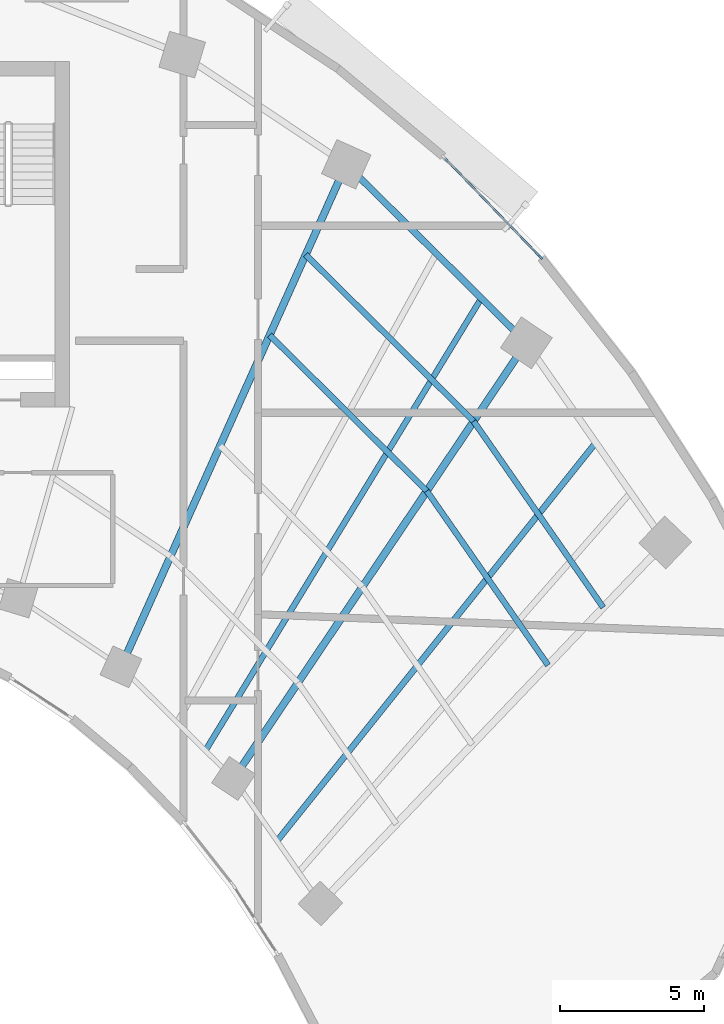
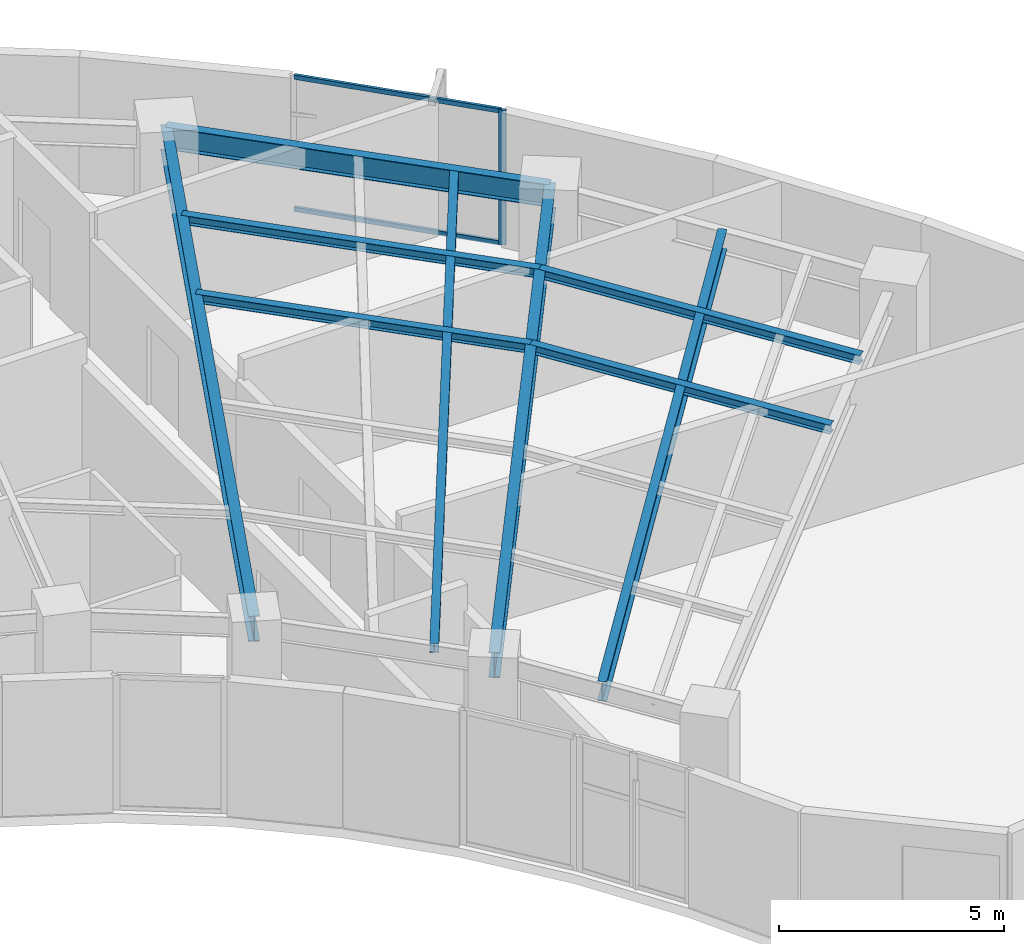
# One storey, part 4 of 14: 9 beams, 3 members, 1 element without a shape of its own.
"""IFC4 building model written with IfcOpenShell, lengths in metres."""

from ifc_helpers import new_model, si_unit, direction, frame, origin, origin_2d, place, context, subcontext, project, spatial, rectangle, i_section, extrude, source, transform, mapped, material, layer, layer_set, material_profile, profile_set, type_object, element, aggregate, save


model = new_model("IFC4")

# Units and contexts
model_context = context("Model", 3, precision=1e-05, world=origin(), true_north=direction((0.0, 1.0)))
body_context = subcontext(model_context, "Body", "Model", "MODEL_VIEW")
ifc_project = project(units=[si_unit("LENGTHUNIT", "METRE"), si_unit("AREAUNIT", "SQUARE_METRE"), si_unit("VOLUMEUNIT", "CUBIC_METRE"), si_unit("PLANEANGLEUNIT", "RADIAN"), si_unit("MASSUNIT", "GRAM", prefix="KILO")], contexts=[model_context])

# Site, building, storey
site_placement = place(None, origin())
site = spatial("IfcSite", under=ifc_project, at=site_placement, CompositionType="ELEMENT")
building_placement = place(site_placement, origin())
building = spatial("IfcBuilding", under=site, at=building_placement, Name="Breltana Convention Tower", CompositionType="ELEMENT")
storey_placement = place(building_placement, frame((0.0, 0.0, 123.300048828125)))
storey = spatial("IfcBuildingStorey", under=building, at=storey_placement, Name="L29", CompositionType="ELEMENT", Elevation=123.300048828125)

# Beams
ifc_material_1 = material(Name="Steel ASTM A992 Grade 50", Category="steel")
ifc_material_profile_1 = material_profile(ifc_material_1, i_section(OverallWidth=0.25390625, OverallDepth=0.68798828125, WebThickness=0.01318359375, FlangeThickness=0.02099609375, at=origin_2d()), Name="W27X102")
ifc_profile_set_1 = profile_set([ifc_material_profile_1], Name="Steel ASTM A992 Grade 50")
beam_type_1 = type_object("IfcBeamType", Name="BM-RG-W27X102", PredefinedType="USERDEFINED", material=ifc_profile_set_1)
shared_shape_1 = source(origin(), body_context, "Body", "SweptSolid", [
    extrude(i_section(OverallWidth=0.25390625, OverallDepth=0.68798828125, WebThickness=0.01318359375, FlangeThickness=0.02099609375, at=origin_2d()), origin(), (0.0, 0.0, 1.0), 19.133544921875),
])
beam_1_placement = place(storey_placement, frame((61.08203125, 51.174560546875, 3.305908203125), z_axis=(0.409144564164, 0.912469575172, 0.0), x_axis=(-0.912469575172, 0.409144564164, 0.0)))
element("IfcBeam", 1, at=beam_1_placement, inside=storey, type_object=beam_type_1, Name="L29 Radial Floor Girder R09", ObjectType="GIRDER", PredefinedType="USERDEFINED", context=body_context, shape_type="MappedRepresentation", body=[
    mapped(shared_shape_1, transform((0.0, 0.0, 0.0), scale=1.0)),
])
shared_shape_2 = source(origin(), body_context, "Body", "SweptSolid", [
    extrude(i_section(OverallWidth=0.25390625, OverallDepth=0.68798828125, WebThickness=0.01318359375, FlangeThickness=0.02099609375, at=origin_2d()), origin(), (0.0, 0.0, 1.0), 18.236328125),
])
beam_2_placement = place(storey_placement, frame((64.995849609375, 47.293701171875, 3.305908203125), z_axis=(0.557730360975, 0.830022195153, 0.0), x_axis=(-0.830022195153, 0.557730360975, 0.0)))
element("IfcBeam", 2, at=beam_2_placement, inside=storey, type_object=beam_type_1, Name="L29 Radial Floor Girder R10", ObjectType="GIRDER", PredefinedType="USERDEFINED", context=body_context, shape_type="MappedRepresentation", body=[
    mapped(shared_shape_2, transform((0.0, 0.0, 0.0), scale=1.0)),
])
ifc_material_profile_2 = material_profile(ifc_material_1, i_section(OverallWidth=0.22802734375, OverallDepth=0.60791015625, WebThickness=0.01123046875, FlangeThickness=0.017333984375, at=origin_2d()), Name="W24X76")
ifc_profile_set_2 = profile_set([ifc_material_profile_2], Name="Steel ASTM A992 Grade 50")
beam_type_2 = type_object("IfcBeamType", Name="BM-SP-W24X76", PredefinedType="SPANDREL", material=ifc_profile_set_2)
shared_shape_3 = source(origin(), body_context, "Body", "SweptSolid", [
    extrude(i_section(OverallWidth=0.22802734375, OverallDepth=0.60791015625, WebThickness=0.01123046875, FlangeThickness=0.017333984375, at=origin_2d()), origin(), (0.0, 0.0, 1.0), 8.810302734375),
])
beam_3_placement = place(storey_placement, frame((68.910400390625, 68.63330078125, 3.345947265625), z_axis=(0.710120823582, -0.704079836322, 0.0), x_axis=(0.704079836322, 0.710120823582, 0.0)))
element("IfcBeam", 3, at=beam_3_placement, inside=storey, type_object=beam_type_2, Name="L29 Outer Spandrel Beam 09", PredefinedType="SPANDREL", context=body_context, shape_type="MappedRepresentation", body=[
    mapped(shared_shape_3, transform((0.0, 0.0, 0.0), scale=1.0)),
])
ifc_material_profile_3 = material_profile(ifc_material_1, i_section(OverallWidth=0.201904296875, OverallDepth=0.2470703125, WebThickness=0.00732421875, FlangeThickness=0.010986328125, at=origin_2d()), Name="W10X33")
ifc_profile_set_3 = profile_set([ifc_material_profile_3], Name="Steel ASTM A992 Grade 50")
beam_type_3 = type_object("IfcBeamType", Name="BM-JSG-11", PredefinedType="JOIST", material=ifc_profile_set_3)
shared_shape_4 = source(origin(), body_context, "Body", "SweptSolid", [
    extrude(i_section(OverallWidth=0.201904296875, OverallDepth=0.2470703125, WebThickness=0.00732421875, FlangeThickness=0.010986328125, at=origin_2d()), origin(), (0.0, 0.0, 1.0), 7.688720703125),
])
beam_4_placement = place(storey_placement, frame((66.248779296875, 62.697265625, 3.5263671875), z_axis=(0.710101109809, -0.704099718682, 0.0), x_axis=(0.704099718682, 0.710101109809, 0.0)))
element("IfcBeam", 4, at=beam_4_placement, inside=storey, type_object=beam_type_3, Name="L29 Composite Floor Joist 09.3", PredefinedType="JOIST", context=body_context, shape_type="MappedRepresentation", body=[
    mapped(shared_shape_4, transform((0.0, 0.0, 0.0), scale=1.0)),
])
shared_shape_5 = source(origin(), body_context, "Body", "SweptSolid", [
    extrude(i_section(OverallWidth=0.201904296875, OverallDepth=0.2470703125, WebThickness=0.00732421875, FlangeThickness=0.010986328125, at=origin_2d()), origin(), (0.0, 0.0, 1.0), 8.21630859375),
])
beam_5_placement = place(storey_placement, frame((67.50146484375, 65.49072265625, 3.5263671875), z_axis=(0.710101511063, -0.704099314008, 0.0), x_axis=(0.704099314008, 0.710101511063, 0.0)))
element("IfcBeam", 5, at=beam_5_placement, inside=storey, type_object=beam_type_3, Name="L29 Composite Floor Joist 09.4", PredefinedType="JOIST", context=body_context, shape_type="MappedRepresentation", body=[
    mapped(shared_shape_5, transform((0.0, 0.0, 0.0), scale=1.0)),
])
shared_shape_6 = source(origin(), body_context, "Body", "SweptSolid", [
    extrude(i_section(OverallWidth=0.201904296875, OverallDepth=0.2470703125, WebThickness=0.00732421875, FlangeThickness=0.010986328125, at=origin_2d()), origin(), (0.0, 0.0, 1.0), 18.409423828125),
])
beam_6_placement = place(storey_placement, frame((64.017333984375, 48.263916015625, 3.5263671875), z_axis=(0.520682167606, 0.853750596098, 0.0), x_axis=(-0.853750596098, 0.520682167606, 0.0)))
element("IfcBeam", 6, at=beam_6_placement, inside=storey, type_object=beam_type_3, Name="L29 Quarter-Bay Radial Trimmer 09", PredefinedType="JOIST", context=body_context, shape_type="MappedRepresentation", body=[
    mapped(shared_shape_6, transform((0.0, 0.0, 0.0), scale=1.0)),
])
shared_shape_7 = source(origin(), body_context, "Body", "SweptSolid", [
    extrude(i_section(OverallWidth=0.201904296875, OverallDepth=0.2470703125, WebThickness=0.00732421875, FlangeThickness=0.010986328125, at=origin_2d()), origin(), (0.0, 0.0, 1.0), 7.374267578125),
])
beam_7_placement = place(storey_placement, frame((71.70849609375, 57.28369140625, 3.5263671875), z_axis=(0.571229379406, -0.820790470281, 0.0), x_axis=(0.820790470281, 0.571229379406, 0.0)))
element("IfcBeam", 7, at=beam_7_placement, inside=storey, type_object=beam_type_3, Name="L29 Composite Floor Joist 10.3", PredefinedType="JOIST", context=body_context, shape_type="MappedRepresentation", body=[
    mapped(shared_shape_7, transform((0.0, 0.0, 0.0), scale=1.0)),
])
shared_shape_8 = source(origin(), body_context, "Body", "SweptSolid", [
    extrude(i_section(OverallWidth=0.201904296875, OverallDepth=0.2470703125, WebThickness=0.00732421875, FlangeThickness=0.010986328125, at=origin_2d()), origin(), (0.0, 0.0, 1.0), 7.88037109375),
])
beam_8_placement = place(storey_placement, frame((73.3359375, 59.70556640625, 3.5263671875), z_axis=(0.571197916304, -0.820812366141, 0.0), x_axis=(0.820812366141, 0.571197916304, 0.0)))
element("IfcBeam", 8, at=beam_8_placement, inside=storey, type_object=beam_type_3, Name="L29 Composite Floor Joist 10.4", PredefinedType="JOIST", context=body_context, shape_type="MappedRepresentation", body=[
    mapped(shared_shape_8, transform((0.0, 0.0, 0.0), scale=1.0)),
])
ifc_material_profile_4 = material_profile(ifc_material_1, i_section(OverallWidth=0.2099609375, OverallDepth=0.537109375, WebThickness=0.010986328125, FlangeThickness=0.017333984375, at=origin_2d()), Name="W21X68")
ifc_profile_set_4 = profile_set([ifc_material_profile_4], Name="Steel ASTM A992 Grade 50")
beam_type_4 = type_object("IfcBeamType", Name="BM-JSG-04", PredefinedType="JOIST", material=ifc_profile_set_4)
shared_shape_9 = source(origin(), body_context, "Body", "SweptSolid", [
    extrude(i_section(OverallWidth=0.2099609375, OverallDepth=0.537109375, WebThickness=0.010986328125, FlangeThickness=0.017333984375, at=origin_2d()), origin(), (0.0, 0.0, 1.0), 17.7236328125),
])
beam_9_placement = place(storey_placement, frame((66.505615234375, 45.124267578125, 3.38134765625), z_axis=(0.624829427563, 0.78076128647, 0.0), x_axis=(-0.78076128647, 0.624829427563, 0.0)))
element("IfcBeam", 9, at=beam_9_placement, inside=storey, type_object=beam_type_4, Name="L29 Mid-Bay Radial Trimmer 10", PredefinedType="JOIST", context=body_context, shape_type="MappedRepresentation", body=[
    mapped(shared_shape_9, transform((0.0, 0.0, 0.0), scale=1.0)),
])

# Curtain wall, members
ifc_material_2 = material(Name="Aluminium Anodised Bronze Frame", Category="aluminium")
ifc_layer = layer(ifc_material_2, 0.22998046875, Name="Aluminium Anodised Bronze Frame")
ifc_layer_set = layer_set([ifc_layer], Name="Aluminium Anodised Bronze Frame")
curtain_wall_type = type_object("IfcCurtainWallType", Name="CW-SYS-5", PredefinedType="NOTDEFINED", material=ifc_layer_set)
curtain_wall_placement = place(storey_placement, origin())
curtain_wall = element("IfcCurtainWall", 10, at=curtain_wall_placement, inside=storey, type_object=curtain_wall_type, Name="L29 outer double-skin inner glazing 4", PredefinedType="NOTDEFINED")
ifc_material_3 = material(Name="Aluminium Anodised Bronze", Category="aluminium")
ifc_material_profile_5 = material_profile(ifc_material_3, rectangle(XDim=0.070068359375, YDim=0.175048828125, at=origin_2d()), Name="CWM-70X175")
ifc_profile_set_5 = profile_set([ifc_material_profile_5], Name="Aluminium Anodised Bronze")
member_type_1 = type_object("IfcMemberType", Name="CWM-175", PredefinedType="MULLION", material=ifc_profile_set_5)
shared_shape_10 = source(origin(), body_context, "Body", "SweptSolid", [
    extrude(rectangle(XDim=0.070068359375, YDim=0.175048828125, at=origin_2d()), origin(), (0.0, 0.0, 1.0), 3.64990234375),
])
member_1_placement = place(storey_placement, frame((75.660400390625, 65.401611328125, 0.0), z_axis=(0.0, 0.0, 1.0), x_axis=(0.719384961558, 0.694611601605, 0.0)))
member_1 = element("IfcMember", 11, at=member_1_placement, type_object=member_type_1, Name="CW-05 mullion 2", PredefinedType="MULLION", context=body_context, shape_type="MappedRepresentation", body=[
    mapped(shared_shape_10, transform((0.0, 0.0, 0.0), scale=1.0)),
])
ifc_material_profile_6 = material_profile(ifc_material_3, rectangle(XDim=0.070068359375, YDim=0.1201171875, at=origin_2d()), Name="CWT-70X120")
ifc_profile_set_6 = profile_set([ifc_material_profile_6], Name="Aluminium Anodised Bronze")
member_type_2 = type_object("IfcMemberType", Name="CWT-120", PredefinedType="USERDEFINED", material=ifc_profile_set_6)
shared_shape_11 = source(origin(), body_context, "Body", "SweptSolid", [
    extrude(rectangle(XDim=0.070068359375, YDim=0.1201171875, at=origin_2d()), origin(), (0.0, 0.0, 1.0), 4.7685546875),
])
member_2_placement = place(storey_placement, frame((72.323974609375, 68.857177734375, 0.034912109375), z_axis=(0.694608218982, -0.719388227679, 0.0), x_axis=(0.719388227679, 0.694608218982, 0.0)))
member_2 = element("IfcMember", 12, at=member_2_placement, type_object=member_type_2, Name="CW-05 transom 1.1", ObjectType="TRANSOM", PredefinedType="USERDEFINED", context=body_context, shape_type="MappedRepresentation", body=[
    mapped(shared_shape_11, transform((0.0, 0.0, 0.0), scale=1.0)),
])
member_3_placement = place(storey_placement, frame((72.323974609375, 68.857177734375, 3.614990234375), z_axis=(0.694608218982, -0.719388227679, 0.0), x_axis=(0.719388227679, 0.694608218982, 0.0)))
member_3 = element("IfcMember", 13, at=member_3_placement, type_object=member_type_2, Name="CW-05 transom 1.2", ObjectType="TRANSOM", PredefinedType="USERDEFINED", context=body_context, shape_type="MappedRepresentation", body=[
    mapped(shared_shape_11, transform((0.0, 0.0, 0.0), scale=1.0)),
])
aggregate(curtain_wall, [member_1, member_2, member_3])

save(model, "model.ifc")
